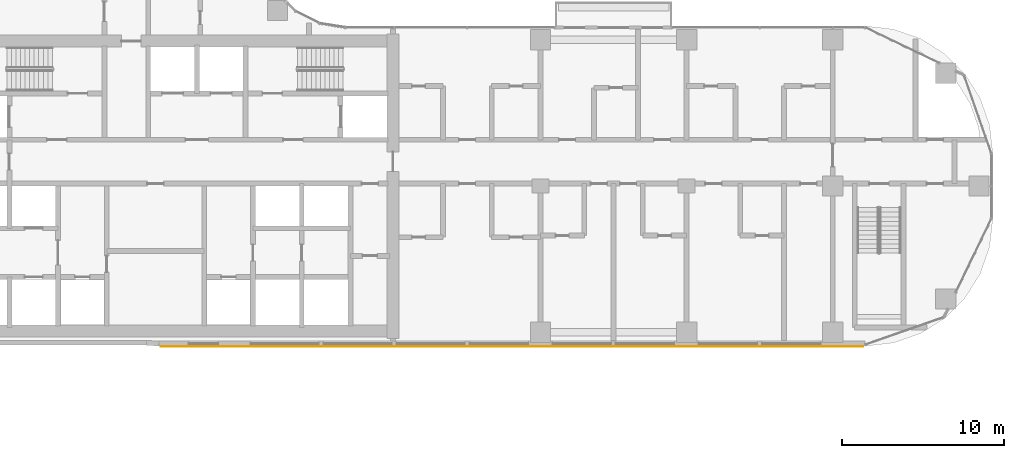
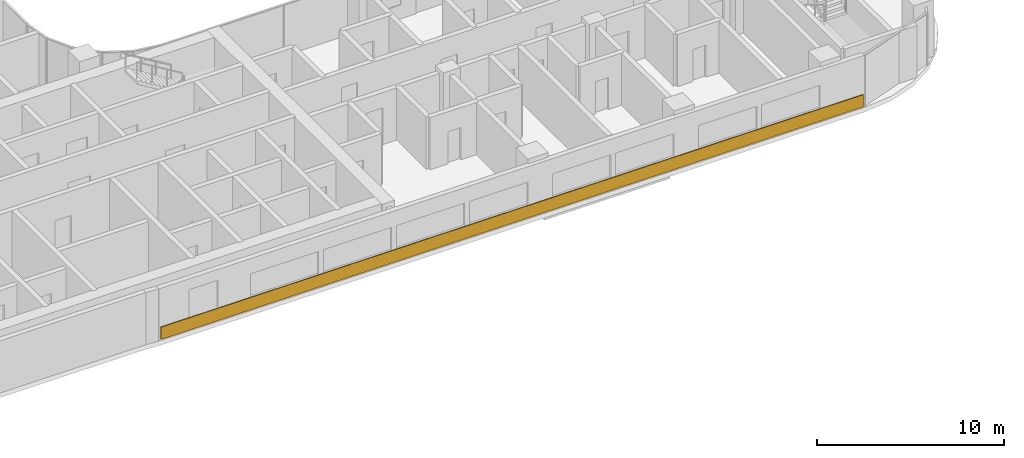
# One storey, part 31 of 35: 1 covering.
"""IFC4 building model written with IfcOpenShell, lengths in metres."""

from ifc_helpers import new_model, si_unit, direction, frame, origin, origin_2d, place, context, subcontext, project, spatial, rectangle, extrude, material, layer, layer_set, type_object, element, save


model = new_model("IFC4")

# Units and contexts
model_context = context("Model", 3, precision=1e-05, world=origin(), true_north=direction((0.0, 1.0)))
body_context = subcontext(model_context, "Body", "Model", "MODEL_VIEW")
ifc_project = project(units=[si_unit("LENGTHUNIT", "METRE"), si_unit("AREAUNIT", "SQUARE_METRE"), si_unit("VOLUMEUNIT", "CUBIC_METRE"), si_unit("PLANEANGLEUNIT", "RADIAN"), si_unit("MASSUNIT", "GRAM", prefix="KILO")], contexts=[model_context])

# Site, building, storey
site_placement = place(None, origin())
site = spatial("IfcSite", under=ifc_project, at=site_placement, CompositionType="ELEMENT")
building_placement = place(site_placement, origin())
building = spatial("IfcBuilding", under=site, at=building_placement, Name="Ogive Portal Towers", CompositionType="ELEMENT")
storey_placement = place(building_placement, frame((0.0, 0.0, 90.800048828125)))
storey = spatial("IfcBuildingStorey", under=building, at=storey_placement, Name="L21", CompositionType="ELEMENT", Elevation=90.800048828125)

# Covering
ifc_material = material(Name="Limestone cladding on lightweight block wall", Category="masonry")
ifc_layer = layer(ifc_material, 0.050048828125)
ifc_layer_set = layer_set([ifc_layer], Name="SCREEN PERFORATED STONE")
covering_type = type_object("IfcCoveringType", Name="SCREEN PERFORATED STONE", PredefinedType="CLADDING", material=ifc_layer_set)
covering_placement = place(storey_placement, frame((65.74853515625, 20.6201171875, 0.10009765625), z_axis=(0.0, 0.0, 1.0), x_axis=(1.0, 0.0, 0.0)))
element("IfcCovering", 1, at=covering_placement, inside=storey, type_object=covering_type, Name="Tracery screen", PredefinedType="CLADDING", context=body_context, shape_type="SweptSolid", body=[
    extrude(rectangle(XDim=43.275634765625, YDim=0.050048828125, at=origin_2d()), origin(), (0.0, 0.0, 1.0), 0.800048828125),
])

save(model, "model.ifc")
